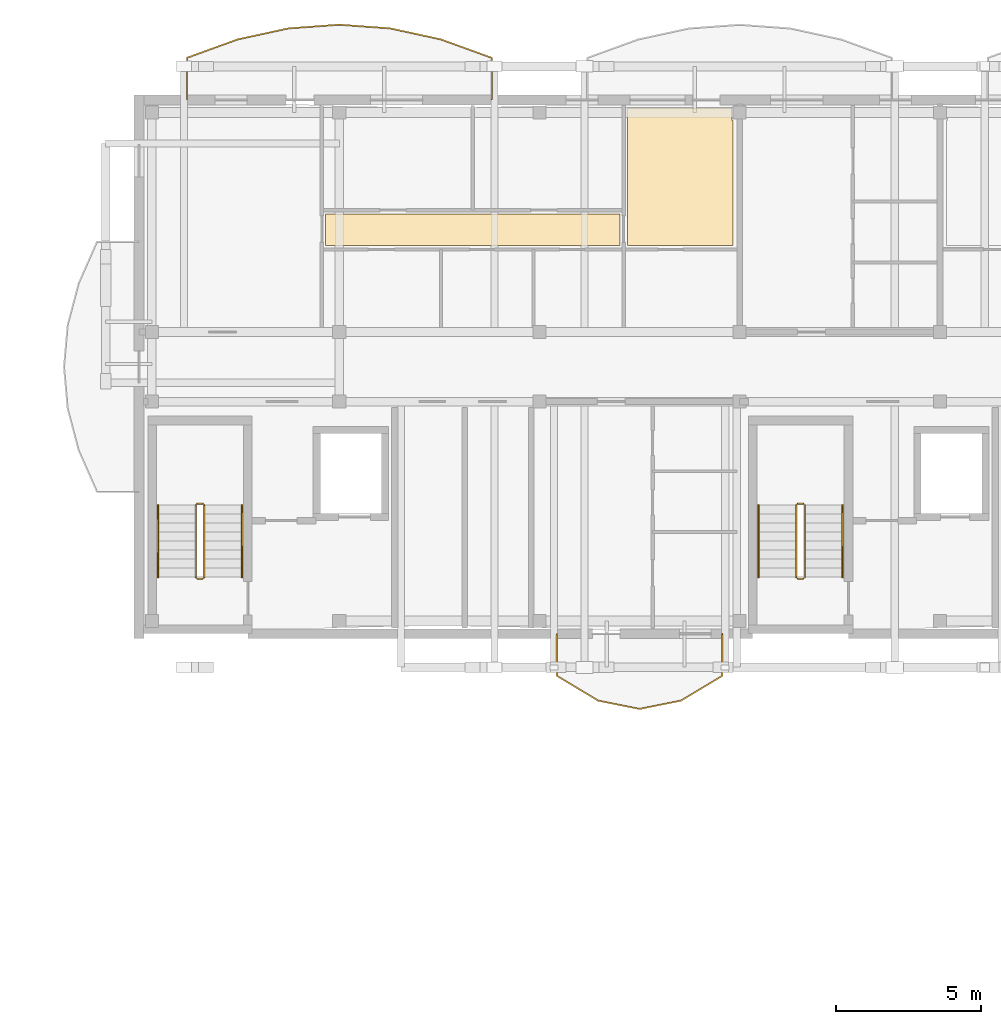
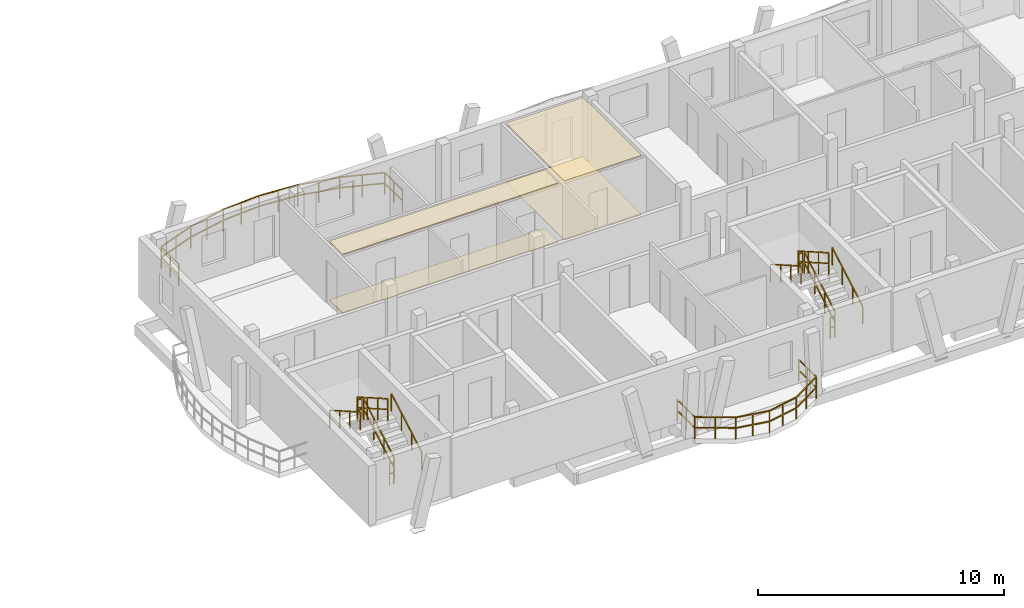
# One storey, part 41 of 42: 14 railings, 4 coverings.
"""IFC4 building model written with IfcOpenShell, lengths in metres."""

import ifcopenshell
import ifcopenshell.guid

model = None  # the IFC model being written
_history = None  # IfcOwnerHistory: only IFC2X3 demands one
_inside = {}  # id of a spatial element -> (the spatial element, [elements in it])
_under = {}  # id of a project, library or spatial element -> (it, [spatial elements below it])
_declared = {}  # id of a project -> (the project, [libraries it declares])
_typed = {}  # id of a type object -> (the type object, [elements of that type])
_made_of = {}  # id of a material, layer set ... -> (it, [elements and type objects made of it])


def new_model(schema):
    """Start an empty IFC model of exactly this schema.

    Asked for "IFC4X3", IfcOpenShell would pick the latest addendum, in which some entities
    have other attributes; the version numbers below select the first issue.
    IFC2X3 requires an IfcOwnerHistory on every rooted entity: one is made here for all.
    """
    global model, _history
    if schema == "IFC4X3":
        model = ifcopenshell.file(schema_version=(4, 3, 0, 0))
    else:
        model = ifcopenshell.file(schema=schema)
    _inside.clear()
    _under.clear()
    _declared.clear()
    _typed.clear()
    _made_of.clear()
    _history = None
    if model.schema == "IFC2X3":
        org = make("IfcOrganization", Name="unknown")
        user = make(
            "IfcPersonAndOrganization",
            ThePerson=make("IfcPerson", FamilyName="unknown"),
            TheOrganization=org,
        )
        app = make(
            "IfcApplication",
            ApplicationDeveloper=org,
            Version="unknown",
            ApplicationFullName="unknown",
            ApplicationIdentifier="unknown",
        )
        _history = make(
            "IfcOwnerHistory",
            OwningUser=user,
            OwningApplication=app,
            ChangeAction="ADDED",
            CreationDate=0,
        )
    return model


def make(cls, **values):
    """One entity of the class cls with the attributes given. An attribute that is None is left unset."""
    return model.create_entity(
        cls, **{name: value for name, value in values.items() if value is not None}
    )


def rooted(cls, **values):
    """An entity with a GlobalId (a new one), such as an element, a storey or a relation."""
    return make(cls, GlobalId=ifcopenshell.guid.new(), OwnerHistory=_history, **values)


def si_unit(unit_type, name, prefix=None):
    """IfcSIUnit, for example si_unit("LENGTHUNIT", "METRE", prefix="MILLI")."""
    return make("IfcSIUnit", UnitType=unit_type, Prefix=prefix, Name=name)


def assignment(units):
    """IfcUnitAssignment: the units of a project."""
    return None if units is None else make("IfcUnitAssignment", Units=units)


def point(xyz):
    """IfcCartesianPoint."""
    return None if xyz is None else make("IfcCartesianPoint", Coordinates=xyz)


def direction(xyz):
    """IfcDirection."""
    return None if xyz is None else make("IfcDirection", DirectionRatios=xyz)


def frame(location, z_axis=None, x_axis=None):
    """IfcAxis2Placement3D, a coordinate frame: its origin and axes. An axis left out is left unset."""
    return make(
        "IfcAxis2Placement3D",
        Location=point(location),
        Axis=direction(z_axis),
        RefDirection=direction(x_axis),
    )


def frame_2d(location, x_axis=None):
    """IfcAxis2Placement2D, a coordinate frame in the plane: its origin and x axis."""
    return make(
        "IfcAxis2Placement2D", Location=point(location), RefDirection=direction(x_axis)
    )


def origin():
    """The frame at (0, 0, 0) with its axes left unset."""
    return frame((0.0, 0.0, 0.0))


def origin_2d():
    """The frame at (0, 0) in the plane with its x axis left unset."""
    return frame_2d((0.0, 0.0))


def place(relative_to, where):
    """IfcLocalPlacement: puts the frame where relative to a parent placement (None: the world)."""
    return make(
        "IfcLocalPlacement", PlacementRelTo=relative_to, RelativePlacement=where
    )


def context(
    kind, dimensions, precision=None, world=None, true_north=None, identifier=None
):
    """IfcGeometricRepresentationContext, for example the 3D "Model" context."""
    return make(
        "IfcGeometricRepresentationContext",
        ContextIdentifier=identifier,
        ContextType=kind,
        CoordinateSpaceDimension=dimensions,
        Precision=precision,
        WorldCoordinateSystem=world,
        TrueNorth=true_north,
    )


def subcontext(parent, identifier, kind, view, scale=None):
    """IfcGeometricRepresentationSubContext, for example "Body" below "Model"."""
    return make(
        "IfcGeometricRepresentationSubContext",
        ContextIdentifier=identifier,
        ContextType=kind,
        ParentContext=parent,
        TargetScale=scale,
        TargetView=view,
    )


def project(units=None, contexts=None):
    """IfcProject with its units and contexts."""
    return rooted(
        "IfcProject",
        Name="project",
        RepresentationContexts=contexts,
        UnitsInContext=assignment(units),
    )


def spatial(cls, under=None, at=None, **own):
    """A site, building, storey or space (cls), placed at a placement, below another one or the project."""
    s = rooted(cls, ObjectPlacement=at, **own)
    if under is not None:
        _under.setdefault(under.id(), (under, []))[1].append(s)
    return s


def polyline(points):
    """IfcPolyline through the points."""
    return make("IfcPolyline", Points=[point(p) for p in points])


def profile(cls, at=None, kind="AREA", **sizes):
    """A parametric profile (cls). Its sizes go by their IFC names, for example OverallWidth=200.0."""
    return make(cls, ProfileType=kind, Position=at, **sizes)


def rectangle(**sizes):
    """IfcRectangleProfileDef."""
    return profile("IfcRectangleProfileDef", **sizes)


def outline(outer, holes=None, kind="AREA"):
    """IfcArbitraryClosedProfileDef: a profile drawn as a closed curve; with holes, ...WithVoids."""
    if holes is None:
        return make("IfcArbitraryClosedProfileDef", ProfileType=kind, OuterCurve=outer)
    return make(
        "IfcArbitraryProfileDefWithVoids",
        ProfileType=kind,
        OuterCurve=outer,
        InnerCurves=holes,
    )


def extrude(swept, where, along, depth):
    """IfcExtrudedAreaSolid: the profile swept, set in the frame where, extruded along a direction by depth."""
    return make(
        "IfcExtrudedAreaSolid",
        SweptArea=swept,
        Position=where,
        ExtrudedDirection=direction(along),
        Depth=depth,
    )


def shape(context_of_items, identifier, shape_type, items):
    """IfcShapeRepresentation: the items that make up one representation, for example the "Body"."""
    return make(
        "IfcShapeRepresentation",
        ContextOfItems=context_of_items,
        RepresentationIdentifier=identifier,
        RepresentationType=shape_type,
        Items=items,
    )


def material(Name=None, Category=None):
    """IfcMaterial."""
    return make("IfcMaterial", Name=Name, Category=Category)


def layer(
    of_material, thickness, ventilated=None, Name=None, Category=None, Priority=None
):
    """IfcMaterialLayer: one layer of a wall or slab, of a material (None: an air gap)."""
    return make(
        "IfcMaterialLayer",
        Material=of_material,
        LayerThickness=thickness,
        IsVentilated=ventilated,
        Name=Name,
        Category=Category,
        Priority=Priority,
    )


def layer_set(layers, Name=None):
    """IfcMaterialLayerSet."""
    return make("IfcMaterialLayerSet", MaterialLayers=layers, LayerSetName=Name)


def made_of(thing, what):
    """Note that an element or type object is made of a material, layer set ...; save() writes the relation."""
    if what is not None:
        _made_of.setdefault(what.id(), (what, []))[1].append(thing)
    return thing


def type_object(cls, material=None, **own):
    """A type object (cls), such as IfcWallType, which elements share."""
    return made_of(rooted(cls, **own), material)


def element(
    cls,
    number,
    at=None,
    inside=None,
    cuts=None,
    type_object=None,
    material=None,
    context=None,
    identifier="Body",
    shape_type=None,
    held_by="IfcProductDefinitionShape",
    body=None,
    shapes=None,
    **own,
):
    """One element of the class cls, such as IfcWall. Its Tag is "e" and its number.

    at: its placement. inside: the storey or other place that contains it. cuts: it is an
    opening in that element (IfcRelVoidsElement). A single representation is given by context,
    identifier, shape_type and body (its items); several are given by shapes. held_by: the class
    of the entity that holds the representations. save() writes the other relations.
    """
    e = rooted(cls, Tag="e%d" % number, ObjectPlacement=at, **own)
    if body is not None:
        shapes = [shape(context, identifier, shape_type, body)]
    if shapes is not None:
        e.Representation = make(held_by, Representations=shapes)
    if inside is not None:
        _inside.setdefault(inside.id(), (inside, []))[1].append(e)
    if cuts is not None:
        rooted(
            "IfcRelVoidsElement", RelatingBuildingElement=cuts, RelatedOpeningElement=e
        )
    if type_object is not None:
        _typed.setdefault(type_object.id(), (type_object, []))[1].append(e)
    return made_of(e, material)


def aggregate(whole, parts):
    """IfcRelAggregates: a whole, such as a stair, and the parts it consists of."""
    return rooted("IfcRelAggregates", RelatingObject=whole, RelatedObjects=parts)


def save(model, path):
    """Write the relations noted so far, then the file.

    IfcRelAggregates (storeys below a building ...), IfcRelContainedInSpatialStructure (elements
    in a storey), IfcRelDefinesByType, IfcRelAssociatesMaterial and IfcRelDeclares: one each for
    every whole, place, type object, material and project.
    """
    for whole, parts in _under.values():
        aggregate(whole, parts)
    for where, things in _inside.values():
        rooted(
            "IfcRelContainedInSpatialStructure",
            RelatedElements=things,
            RelatingStructure=where,
        )
    for kind, things in _typed.values():
        rooted("IfcRelDefinesByType", RelatedObjects=things, RelatingType=kind)
    for what, things in _made_of.values():
        rooted("IfcRelAssociatesMaterial", RelatedObjects=things, RelatingMaterial=what)
    for by, libraries in _declared.values():
        rooted("IfcRelDeclares", RelatingContext=by, RelatedDefinitions=libraries)
    model.write(path)


model = new_model("IFC4")

# Units and contexts
model_context = context("Model", 3, precision=1e-05, world=origin(), true_north=direction((0.0, 1.0)))
body_context = subcontext(model_context, "Body", "Model", "MODEL_VIEW")
ifc_project = project(units=[si_unit("LENGTHUNIT", "METRE"), si_unit("AREAUNIT", "SQUARE_METRE"), si_unit("VOLUMEUNIT", "CUBIC_METRE"), si_unit("PLANEANGLEUNIT", "RADIAN"), si_unit("MASSUNIT", "GRAM", prefix="KILO")], contexts=[model_context])

# Site, building, storey
site_placement = place(None, origin())
site = spatial("IfcSite", under=ifc_project, at=site_placement, CompositionType="ELEMENT")
building_placement = place(site_placement, origin())
building = spatial("IfcBuilding", under=site, at=building_placement, Name="Zavelmont Quarter", CompositionType="ELEMENT")
storey_placement = place(building_placement, frame((0.0, 0.0, 24.0)))
storey = spatial("IfcBuildingStorey", under=building, at=storey_placement, Name="L07", CompositionType="ELEMENT", Elevation=24.0)

# Coverings
ifc_material_1 = material(Name="Perforated acoustic gypsum board")
ifc_layer_1 = layer(ifc_material_1, 0.02490234375)
ifc_layer_set_1 = layer_set([ifc_layer_1], Name="Perforated acoustic gypsum board")
covering_type_1 = type_object("IfcCoveringType", Name="CV-CL01", PredefinedType="CEILING", material=ifc_layer_set_1)
covering_1_placement = place(storey_placement, frame((0.0, 0.0, 2.925048828125)))
element("IfcCovering", 1, at=covering_1_placement, inside=storey, type_object=covering_type_1, Name="L07 Master Bedroom acoustic ceiling", PredefinedType="CEILING", context=body_context, shape_type="SweptSolid", body=[
    extrude(outline(polyline([(143.429931640625, 115.719970703125), (147.034912109375, 115.719970703125), (147.034912109375, 115.294921875), (147.070068359375, 115.294921875), (147.070068359375, 110.97998046875), (143.429931640625, 110.97998046875), (143.429931640625, 115.719970703125)])), origin(), (0.0, 0.0, 1.0), 0.02490234375),
])
ifc_material_2 = material(Name="Slatted European ash acoustic baffle ceiling")
ifc_layer_2 = layer(ifc_material_2, 0.0400390625)
ifc_layer_set_2 = layer_set([ifc_layer_2], Name="Slatted European ash acoustic baffle ceiling")
covering_type_2 = type_object("IfcCoveringType", Name="CV-CL02", PredefinedType="CEILING", material=ifc_layer_set_2)
covering_2_placement = place(storey_placement, frame((0.0, 0.0, 2.909912109375)))
element("IfcCovering", 2, at=covering_2_placement, inside=storey, type_object=covering_type_2, Name="L07 Apartment Hall acoustic ceiling", PredefinedType="CEILING", context=body_context, shape_type="SweptSolid", body=[
    extrude(outline(polyline([(133.030029296875, 112.070068359375), (143.169921875, 112.070068359375), (143.169921875, 110.97998046875), (133.030029296875, 110.97998046875), (133.030029296875, 112.070068359375)])), origin(), (0.0, 0.0, 1.0), 0.0400390625),
])
ifc_material_3 = material(Name="Engineered European oak parquet")
ifc_layer_3 = layer(ifc_material_3, 0.02197265625)
ifc_layer_set_3 = layer_set([ifc_layer_3], Name="Engineered European oak parquet")
covering_type_3 = type_object("IfcCoveringType", Name="CV-FL01", PredefinedType="FLOORING", material=ifc_layer_set_3)
covering_3_placement = place(storey_placement, origin())
element("IfcCovering", 3, at=covering_3_placement, inside=storey, type_object=covering_type_3, Name="L07 Master Bedroom floor finish", PredefinedType="FLOORING", context=body_context, shape_type="SweptSolid", body=[
    extrude(outline(polyline([(143.429931640625, 115.719970703125), (147.034912109375, 115.719970703125), (147.034912109375, 115.294921875), (147.070068359375, 115.294921875), (147.070068359375, 110.97998046875), (143.429931640625, 110.97998046875), (143.429931640625, 115.719970703125)])), origin(), (0.0, 0.0, 1.0), 0.02197265625),
])
ifc_material_4 = material(Name="Honed Belgian bluestone tile", Category="masonry")
ifc_layer_4 = layer(ifc_material_4, 0.030029296875)
ifc_layer_set_4 = layer_set([ifc_layer_4], Name="Honed Belgian bluestone tile")
covering_type_4 = type_object("IfcCoveringType", Name="CV-FL02", PredefinedType="FLOORING", material=ifc_layer_set_4)
covering_4_placement = place(storey_placement, origin())
element("IfcCovering", 4, at=covering_4_placement, inside=storey, type_object=covering_type_4, Name="L07 Apartment Hall floor finish", PredefinedType="FLOORING", context=body_context, shape_type="SweptSolid", body=[
    extrude(outline(polyline([(133.030029296875, 112.070068359375), (143.169921875, 112.070068359375), (143.169921875, 110.97998046875), (133.030029296875, 110.97998046875), (133.030029296875, 112.070068359375)])), origin(), (0.0, 0.0, 1.0), 0.030029296875),
])

# Railings
ifc_material_5 = material(Name="Powder-coated steel and tempered double safety glass", Category="steel")
railing_type_1 = type_object("IfcRailingType", Name="RL-BAL1", PredefinedType="BALUSTRADE", material=ifc_material_5)
railing_1_placement = place(storey_placement, frame((138.7490234375, 116.02001953125, 0.0)))
element("IfcRailing", 5, at=railing_1_placement, inside=storey, type_object=railing_type_1, Name="L07 Block C curved balcony guard RL-BAL1", PredefinedType="BALUSTRADE", context=body_context, shape_type="SweptSolid", body=[
    extrude(rectangle(XDim=0.048095703125, YDim=0.048095703125, at=origin_2d()), frame((0.0, 0.0, 1.076171875), z_axis=(0.0, 1.0, 0.0), x_axis=(-1.0, 0.0, 0.0)), (0.0, 0.0, 1.0), 1.43212890625),
    extrude(rectangle(XDim=0.048095703125, YDim=0.048095703125, at=origin_2d()), frame((0.0, 0.0, 0.550048828125), z_axis=(0.0, 1.0, 0.0), x_axis=(-1.0, 0.0, 0.0)), (0.0, 0.0, 1.0), 1.43212890625),
    extrude(rectangle(XDim=0.048095703125, YDim=0.048095703125, at=origin_2d()), frame((0.0, 1.43212890625, 1.076171875), z_axis=(-0.940206457744, 0.340605074561, 0.0), x_axis=(-0.340605074561, -0.940206457744, 0.0)), (0.0, 0.0, 1.0), 1.86083984375),
    extrude(rectangle(XDim=0.048095703125, YDim=0.048095703125, at=origin_2d()), frame((0.0, 1.43212890625, 0.550048828125), z_axis=(-0.940206457744, 0.340605074561, 0.0), x_axis=(-0.340605074561, -0.940206457744, 0.0)), (0.0, 0.0, 1.0), 1.86083984375),
    extrude(rectangle(XDim=0.048095703125, YDim=0.048095703125, at=origin_2d()), frame((-1.74951171875, 2.06591796875, 1.076171875), z_axis=(-0.977177594448, 0.212423983836, 0.0), x_axis=(-0.212423983836, -0.977177594448, 0.0)), (0.0, 0.0, 1.0), 1.79052734375),
    extrude(rectangle(XDim=0.048095703125, YDim=0.048095703125, at=origin_2d()), frame((-1.74951171875, 2.06591796875, 0.550048828125), z_axis=(-0.977177594448, 0.212423983836, 0.0), x_axis=(-0.212423983836, -0.977177594448, 0.0)), (0.0, 0.0, 1.0), 1.79052734375),
    extrude(rectangle(XDim=0.048095703125, YDim=0.048095703125, at=origin_2d()), frame((-3.499267578125, 2.4462890625, 1.076171875), z_axis=(-0.997388284097, 0.072226108476, 0.0), x_axis=(-0.072226108476, -0.997388284097, 0.0)), (0.0, 0.0, 1.0), 1.75439453125),
    extrude(rectangle(XDim=0.048095703125, YDim=0.048095703125, at=origin_2d()), frame((-3.499267578125, 2.4462890625, 0.550048828125), z_axis=(-0.997388284097, 0.072226108476, 0.0), x_axis=(-0.072226108476, -0.997388284097, 0.0)), (0.0, 0.0, 1.0), 1.75439453125),
    extrude(rectangle(XDim=0.048095703125, YDim=0.048095703125, at=origin_2d()), frame((-5.2490234375, 2.572998046875, 1.076171875), z_axis=(-0.997388284097, -0.072226108476, 0.0), x_axis=(0.072226108476, -0.997388284097, 0.0)), (0.0, 0.0, 1.0), 1.75439453125),
    extrude(rectangle(XDim=0.048095703125, YDim=0.048095703125, at=origin_2d()), frame((-5.2490234375, 2.572998046875, 0.550048828125), z_axis=(-0.997388284097, -0.072226108476, 0.0), x_axis=(0.072226108476, -0.997388284097, 0.0)), (0.0, 0.0, 1.0), 1.75439453125),
    extrude(rectangle(XDim=0.048095703125, YDim=0.048095703125, at=origin_2d()), frame((-6.998779296875, 2.4462890625, 1.076171875), z_axis=(-0.977177594448, -0.212423983836, 0.0), x_axis=(0.212423983836, -0.977177594448, 0.0)), (0.0, 0.0, 1.0), 1.79052734375),
    extrude(rectangle(XDim=0.048095703125, YDim=0.048095703125, at=origin_2d()), frame((-6.998779296875, 2.4462890625, 0.550048828125), z_axis=(-0.977177594448, -0.212423983836, 0.0), x_axis=(0.212423983836, -0.977177594448, 0.0)), (0.0, 0.0, 1.0), 1.79052734375),
    extrude(rectangle(XDim=0.048095703125, YDim=0.048095703125, at=origin_2d()), frame((-8.74853515625, 2.06591796875, 1.076171875), z_axis=(-0.940206457744, -0.340605074561, 0.0), x_axis=(0.340605074561, -0.940206457744, 0.0)), (0.0, 0.0, 1.0), 1.86083984375),
    extrude(rectangle(XDim=0.048095703125, YDim=0.048095703125, at=origin_2d()), frame((-8.74853515625, 2.06591796875, 0.550048828125), z_axis=(-0.940206457744, -0.340605074561, 0.0), x_axis=(0.340605074561, -0.940206457744, 0.0)), (0.0, 0.0, 1.0), 1.86083984375),
    extrude(rectangle(XDim=0.048095703125, YDim=0.048095703125, at=origin_2d()), frame((-10.498046875, 1.43212890625, 1.076171875), z_axis=(0.0, -1.0, 0.0), x_axis=(1.0, 0.0, 0.0)), (0.0, 0.0, 1.0), 1.43212890625),
    extrude(rectangle(XDim=0.048095703125, YDim=0.048095703125, at=origin_2d()), frame((-10.498046875, 1.43212890625, 0.550048828125), z_axis=(0.0, -1.0, 0.0), x_axis=(1.0, 0.0, 0.0)), (0.0, 0.0, 1.0), 1.43212890625),
    extrude(rectangle(XDim=0.0419921875, YDim=0.0419921875, at=origin_2d()), origin(), (0.0, 0.0, 1.0), 1.052001953125),
    extrude(rectangle(XDim=0.0419921875, YDim=0.0419921875, at=origin_2d()), frame((0.0, 0.716064453125, 0.0)), (0.0, 0.0, 1.0), 1.052001953125),
    extrude(rectangle(XDim=0.0419921875, YDim=0.0419921875, at=origin_2d()), frame((0.0, 1.43212890625, 0.0)), (0.0, 0.0, 1.0), 1.052001953125),
    extrude(rectangle(XDim=0.0419921875, YDim=0.0419921875, at=origin_2d()), frame((-0.874755859375, 1.7490234375, 0.0)), (0.0, 0.0, 1.0), 1.052001953125),
    extrude(rectangle(XDim=0.0419921875, YDim=0.0419921875, at=origin_2d()), frame((-1.74951171875, 2.06591796875, 0.0)), (0.0, 0.0, 1.0), 1.052001953125),
    extrude(rectangle(XDim=0.0419921875, YDim=0.0419921875, at=origin_2d()), frame((-2.62451171875, 2.256103515625, 0.0)), (0.0, 0.0, 1.0), 1.052001953125),
    extrude(rectangle(XDim=0.0419921875, YDim=0.0419921875, at=origin_2d()), frame((-3.499267578125, 2.4462890625, 0.0)), (0.0, 0.0, 1.0), 1.052001953125),
    extrude(rectangle(XDim=0.0419921875, YDim=0.0419921875, at=origin_2d()), frame((-4.3740234375, 2.509765625, 0.0)), (0.0, 0.0, 1.0), 1.052001953125),
    extrude(rectangle(XDim=0.0419921875, YDim=0.0419921875, at=origin_2d()), frame((-5.2490234375, 2.572998046875, 0.0)), (0.0, 0.0, 1.0), 1.052001953125),
    extrude(rectangle(XDim=0.0419921875, YDim=0.0419921875, at=origin_2d()), frame((-6.1240234375, 2.509765625, 0.0)), (0.0, 0.0, 1.0), 1.052001953125),
    extrude(rectangle(XDim=0.0419921875, YDim=0.0419921875, at=origin_2d()), frame((-6.998779296875, 2.4462890625, 0.0)), (0.0, 0.0, 1.0), 1.052001953125),
    extrude(rectangle(XDim=0.0419921875, YDim=0.0419921875, at=origin_2d()), frame((-7.87353515625, 2.256103515625, 0.0)), (0.0, 0.0, 1.0), 1.052001953125),
    extrude(rectangle(XDim=0.0419921875, YDim=0.0419921875, at=origin_2d()), frame((-8.74853515625, 2.06591796875, 0.0)), (0.0, 0.0, 1.0), 1.052001953125),
    extrude(rectangle(XDim=0.0419921875, YDim=0.0419921875, at=origin_2d()), frame((-9.623291015625, 1.7490234375, 0.0)), (0.0, 0.0, 1.0), 1.052001953125),
    extrude(rectangle(XDim=0.0419921875, YDim=0.0419921875, at=origin_2d()), frame((-10.498046875, 1.43212890625, 0.0)), (0.0, 0.0, 1.0), 1.052001953125),
    extrude(rectangle(XDim=0.0419921875, YDim=0.0419921875, at=origin_2d()), frame((-10.498046875, 0.716064453125, 0.0)), (0.0, 0.0, 1.0), 1.052001953125),
    extrude(rectangle(XDim=0.0419921875, YDim=0.0419921875, at=origin_2d()), frame((-10.498046875, 0.0, 0.0)), (0.0, 0.0, 1.0), 1.052001953125),
])
railing_2_placement = place(storey_placement, frame((141.0, 97.580078125, 0.0)))
element("IfcRailing", 6, at=railing_2_placement, inside=storey, type_object=railing_type_1, Name="L07 Block C curved balcony guard RL-BAL1", PredefinedType="BALUSTRADE", context=body_context, shape_type="SweptSolid", body=[
    extrude(rectangle(XDim=0.048095703125, YDim=0.048095703125, at=origin_2d()), frame((0.0, 0.0, 1.076171875), z_axis=(0.0, -1.0, 0.0), x_axis=(1.0, 0.0, 0.0)), (0.0, 0.0, 1.0), 1.43212890625),
    extrude(rectangle(XDim=0.048095703125, YDim=0.048095703125, at=origin_2d()), frame((0.0, 0.0, 0.550048828125), z_axis=(0.0, -1.0, 0.0), x_axis=(1.0, 0.0, 0.0)), (0.0, 0.0, 1.0), 1.43212890625),
    extrude(rectangle(XDim=0.048095703125, YDim=0.048095703125, at=origin_2d()), frame((0.0, -1.43212890625, 1.076171875), z_axis=(0.857311438134, -0.51479811387, 0.0), x_axis=(0.51479811387, 0.857311438134, 0.0)), (0.0, 0.0, 1.0), 1.662109375),
    extrude(rectangle(XDim=0.048095703125, YDim=0.048095703125, at=origin_2d()), frame((0.0, -1.43212890625, 0.550048828125), z_axis=(0.857311438134, -0.51479811387, 0.0), x_axis=(0.51479811387, 0.857311438134, 0.0)), (0.0, 0.0, 1.0), 1.662109375),
    extrude(rectangle(XDim=0.048095703125, YDim=0.048095703125, at=origin_2d()), frame((1.425048828125, -2.287841796875, 1.076171875), z_axis=(0.980561287368, -0.196213051849, 0.0), x_axis=(0.196213051849, 0.980561287368, 0.0)), (0.0, 0.0, 1.0), 1.453369140625),
    extrude(rectangle(XDim=0.048095703125, YDim=0.048095703125, at=origin_2d()), frame((1.425048828125, -2.287841796875, 0.550048828125), z_axis=(0.980561287368, -0.196213051849, 0.0), x_axis=(0.196213051849, 0.980561287368, 0.0)), (0.0, 0.0, 1.0), 1.453369140625),
    extrude(rectangle(XDim=0.048095703125, YDim=0.048095703125, at=origin_2d()), frame((2.85009765625, -2.572998046875, 1.076171875), z_axis=(0.980554818204, 0.196245378283, 0.0), x_axis=(-0.196245378283, 0.980554818204, 0.0)), (0.0, 0.0, 1.0), 1.453125),
    extrude(rectangle(XDim=0.048095703125, YDim=0.048095703125, at=origin_2d()), frame((2.85009765625, -2.572998046875, 0.550048828125), z_axis=(0.980554818204, 0.196245378283, 0.0), x_axis=(-0.196245378283, 0.980554818204, 0.0)), (0.0, 0.0, 1.0), 1.453125),
    extrude(rectangle(XDim=0.048095703125, YDim=0.048095703125, at=origin_2d()), frame((4.27490234375, -2.287841796875, 1.076171875), z_axis=(0.857311438134, 0.51479811387, 0.0), x_axis=(-0.51479811387, 0.857311438134, 0.0)), (0.0, 0.0, 1.0), 1.662109375),
    extrude(rectangle(XDim=0.048095703125, YDim=0.048095703125, at=origin_2d()), frame((4.27490234375, -2.287841796875, 0.550048828125), z_axis=(0.857311438134, 0.51479811387, 0.0), x_axis=(-0.51479811387, 0.857311438134, 0.0)), (0.0, 0.0, 1.0), 1.662109375),
    extrude(rectangle(XDim=0.048095703125, YDim=0.048095703125, at=origin_2d()), frame((5.699951171875, -1.43212890625, 1.076171875), z_axis=(0.0, 1.0, 0.0), x_axis=(-1.0, 0.0, 0.0)), (0.0, 0.0, 1.0), 1.43212890625),
    extrude(rectangle(XDim=0.048095703125, YDim=0.048095703125, at=origin_2d()), frame((5.699951171875, -1.43212890625, 0.550048828125), z_axis=(0.0, 1.0, 0.0), x_axis=(-1.0, 0.0, 0.0)), (0.0, 0.0, 1.0), 1.43212890625),
    extrude(rectangle(XDim=0.0419921875, YDim=0.0419921875, at=origin_2d()), origin(), (0.0, 0.0, 1.0), 1.052001953125),
    extrude(rectangle(XDim=0.0419921875, YDim=0.0419921875, at=origin_2d()), frame((0.0, -0.716064453125, 0.0)), (0.0, 0.0, 1.0), 1.052001953125),
    extrude(rectangle(XDim=0.0419921875, YDim=0.0419921875, at=origin_2d()), frame((0.0, -1.43212890625, 0.0)), (0.0, 0.0, 1.0), 1.052001953125),
    extrude(rectangle(XDim=0.0419921875, YDim=0.0419921875, at=origin_2d()), frame((0.71240234375, -1.85986328125, 0.0)), (0.0, 0.0, 1.0), 1.052001953125),
    extrude(rectangle(XDim=0.0419921875, YDim=0.0419921875, at=origin_2d()), frame((1.425048828125, -2.287841796875, 0.0)), (0.0, 0.0, 1.0), 1.052001953125),
    extrude(rectangle(XDim=0.0419921875, YDim=0.0419921875, at=origin_2d()), frame((2.1376953125, -2.430419921875, 0.0)), (0.0, 0.0, 1.0), 1.052001953125),
    extrude(rectangle(XDim=0.0419921875, YDim=0.0419921875, at=origin_2d()), frame((2.85009765625, -2.572998046875, 0.0)), (0.0, 0.0, 1.0), 1.052001953125),
    extrude(rectangle(XDim=0.0419921875, YDim=0.0419921875, at=origin_2d()), frame((3.5625, -2.430419921875, 0.0)), (0.0, 0.0, 1.0), 1.052001953125),
    extrude(rectangle(XDim=0.0419921875, YDim=0.0419921875, at=origin_2d()), frame((4.27490234375, -2.287841796875, 0.0)), (0.0, 0.0, 1.0), 1.052001953125),
    extrude(rectangle(XDim=0.0419921875, YDim=0.0419921875, at=origin_2d()), frame((4.9873046875, -1.85986328125, 0.0)), (0.0, 0.0, 1.0), 1.052001953125),
    extrude(rectangle(XDim=0.0419921875, YDim=0.0419921875, at=origin_2d()), frame((5.699951171875, -1.43212890625, 0.0)), (0.0, 0.0, 1.0), 1.052001953125),
    extrude(rectangle(XDim=0.0419921875, YDim=0.0419921875, at=origin_2d()), frame((5.699951171875, -0.716064453125, 0.0)), (0.0, 0.0, 1.0), 1.052001953125),
    extrude(rectangle(XDim=0.0419921875, YDim=0.0419921875, at=origin_2d()), frame((5.699951171875, 0.0, 0.0)), (0.0, 0.0, 1.0), 1.052001953125),
])
ifc_material_6 = material(Name="Powder-coated steel stair guardrail", Category="steel")
railing_type_2 = type_object("IfcRailingType", Name="RL-GRD1", PredefinedType="GUARDRAIL", material=ifc_material_6)
railing_3_placement = place(storey_placement, frame((128.85009765625, 99.550048828125, 0.177734375)))
element("IfcRailing", 7, at=railing_3_placement, inside=storey, type_object=railing_type_2, Name="L07 ST05 stair guardrail 1", PredefinedType="GUARDRAIL", context=body_context, shape_type="SweptSolid", body=[
    extrude(rectangle(XDim=0.048095703125, YDim=0.048095703125, at=origin_2d()), frame((0.0, 0.0, 1.076171875), z_axis=(0.0, 0.867453774394, 0.497517787913), x_axis=(-1.0, 0.0, 0.0)), (0.0, 0.0, 1.0), 2.85888671875),
    extrude(rectangle(XDim=0.048095703125, YDim=0.048095703125, at=origin_2d()), frame((0.0, 0.0, 0.550048828125), z_axis=(0.0, 0.867453774394, 0.497517787913), x_axis=(-1.0, 0.0, 0.0)), (0.0, 0.0, 1.0), 2.85888671875),
    extrude(rectangle(XDim=0.0419921875, YDim=0.0419921875, at=origin_2d()), origin(), (0.0, 0.0, 1.0), 1.052001953125),
    extrude(rectangle(XDim=0.0419921875, YDim=0.0419921875, at=origin_2d()), frame((0.0, 0.82666015625, 0.47412109375)), (0.0, 0.0, 1.0), 1.052001953125),
    extrude(rectangle(XDim=0.0419921875, YDim=0.0419921875, at=origin_2d()), frame((0.0, 1.6533203125, 0.9482421875)), (0.0, 0.0, 1.0), 1.052001953125),
    extrude(rectangle(XDim=0.0419921875, YDim=0.0419921875, at=origin_2d()), frame((0.0, 2.47998046875, 1.42236328125)), (0.0, 0.0, 1.0), 1.052001953125),
])
railing_4_placement = place(storey_placement, frame((128.800048828125, 102.080078125, 1.60009765625)))
element("IfcRailing", 8, at=railing_4_placement, inside=storey, type_object=railing_type_2, Name="L07 ST05 stair guardrail 2", PredefinedType="GUARDRAIL", context=body_context, shape_type="SweptSolid", body=[
    extrude(rectangle(XDim=0.048095703125, YDim=0.048095703125, at=origin_2d()), frame((0.0, 0.0, 1.076171875), z_axis=(-1.0, 0.0, 0.0), x_axis=(0.0, -1.0, 0.0)), (0.0, 0.0, 1.0), 0.199951171875),
    extrude(rectangle(XDim=0.048095703125, YDim=0.048095703125, at=origin_2d()), frame((0.0, 0.0, 0.550048828125), z_axis=(-1.0, 0.0, 0.0), x_axis=(0.0, -1.0, 0.0)), (0.0, 0.0, 1.0), 0.199951171875),
    extrude(rectangle(XDim=0.0419921875, YDim=0.0419921875, at=origin_2d()), origin(), (0.0, 0.0, 1.0), 1.052001953125),
    extrude(rectangle(XDim=0.0419921875, YDim=0.0419921875, at=origin_2d()), frame((-0.199951171875, 0.0, 0.0)), (0.0, 0.0, 1.0), 1.052001953125),
])
railing_5_placement = place(storey_placement, frame((128.550048828125, 102.030029296875, 1.77783203125)))
element("IfcRailing", 9, at=railing_5_placement, inside=storey, type_object=railing_type_2, Name="L07 ST05 stair guardrail 3", PredefinedType="GUARDRAIL", context=body_context, shape_type="SweptSolid", body=[
    extrude(rectangle(XDim=0.048095703125, YDim=0.048095703125, at=origin_2d()), frame((0.0, 0.0, 1.076171875), z_axis=(0.0, -0.867490628297, 0.497453525283), x_axis=(1.0, 0.0, 0.0)), (0.0, 0.0, 1.0), 2.85888671875),
    extrude(rectangle(XDim=0.048095703125, YDim=0.048095703125, at=origin_2d()), frame((0.0, 0.0, 0.550048828125), z_axis=(0.0, -0.867490628297, 0.497453525283), x_axis=(1.0, 0.0, 0.0)), (0.0, 0.0, 1.0), 2.85888671875),
    extrude(rectangle(XDim=0.0419921875, YDim=0.0419921875, at=origin_2d()), origin(), (0.0, 0.0, 1.0), 1.052001953125),
    extrude(rectangle(XDim=0.0419921875, YDim=0.0419921875, at=origin_2d()), frame((0.0, -0.82666015625, 0.47412109375)), (0.0, 0.0, 1.0), 1.052001953125),
    extrude(rectangle(XDim=0.0419921875, YDim=0.0419921875, at=origin_2d()), frame((0.0, -1.6533203125, 0.947998046875)), (0.0, 0.0, 1.0), 1.052001953125),
    extrude(rectangle(XDim=0.0419921875, YDim=0.0419921875, at=origin_2d()), frame((0.0, -2.47998046875, 1.422119140625)), (0.0, 0.0, 1.0), 1.052001953125),
])
railing_6_placement = place(storey_placement, frame((128.800048828125, 99.5, 0.0)))
element("IfcRailing", 10, at=railing_6_placement, inside=storey, type_object=railing_type_2, Name="L07 ST05 stair guardrail 4", PredefinedType="GUARDRAIL", context=body_context, shape_type="SweptSolid", body=[
    extrude(rectangle(XDim=0.048095703125, YDim=0.048095703125, at=origin_2d()), frame((0.0, 0.0, 1.076171875), z_axis=(-1.0, 0.0, 0.0), x_axis=(0.0, -1.0, 0.0)), (0.0, 0.0, 1.0), 0.199951171875),
    extrude(rectangle(XDim=0.048095703125, YDim=0.048095703125, at=origin_2d()), frame((0.0, 0.0, 0.550048828125), z_axis=(-1.0, 0.0, 0.0), x_axis=(0.0, -1.0, 0.0)), (0.0, 0.0, 1.0), 0.199951171875),
    extrude(rectangle(XDim=0.0419921875, YDim=0.0419921875, at=origin_2d()), origin(), (0.0, 0.0, 1.0), 1.052001953125),
    extrude(rectangle(XDim=0.0419921875, YDim=0.0419921875, at=origin_2d()), frame((-0.199951171875, 0.0, 0.0)), (0.0, 0.0, 1.0), 1.052001953125),
])
railing_7_placement = place(storey_placement, frame((149.550048828125, 99.550048828125, 0.177734375)))
element("IfcRailing", 11, at=railing_7_placement, inside=storey, type_object=railing_type_2, Name="L07 ST06 stair guardrail 1", PredefinedType="GUARDRAIL", context=body_context, shape_type="SweptSolid", body=[
    extrude(rectangle(XDim=0.048095703125, YDim=0.048095703125, at=origin_2d()), frame((0.0, 0.0, 1.076171875), z_axis=(0.0, 0.867453774394, 0.497517787913), x_axis=(-1.0, 0.0, 0.0)), (0.0, 0.0, 1.0), 2.85888671875),
    extrude(rectangle(XDim=0.048095703125, YDim=0.048095703125, at=origin_2d()), frame((0.0, 0.0, 0.550048828125), z_axis=(0.0, 0.867453774394, 0.497517787913), x_axis=(-1.0, 0.0, 0.0)), (0.0, 0.0, 1.0), 2.85888671875),
    extrude(rectangle(XDim=0.0419921875, YDim=0.0419921875, at=origin_2d()), origin(), (0.0, 0.0, 1.0), 1.052001953125),
    extrude(rectangle(XDim=0.0419921875, YDim=0.0419921875, at=origin_2d()), frame((0.0, 0.82666015625, 0.47412109375)), (0.0, 0.0, 1.0), 1.052001953125),
    extrude(rectangle(XDim=0.0419921875, YDim=0.0419921875, at=origin_2d()), frame((0.0, 1.6533203125, 0.9482421875)), (0.0, 0.0, 1.0), 1.052001953125),
    extrude(rectangle(XDim=0.0419921875, YDim=0.0419921875, at=origin_2d()), frame((0.0, 2.47998046875, 1.42236328125)), (0.0, 0.0, 1.0), 1.052001953125),
])
railing_8_placement = place(storey_placement, frame((149.5, 102.080078125, 1.60009765625)))
element("IfcRailing", 12, at=railing_8_placement, inside=storey, type_object=railing_type_2, Name="L07 ST06 stair guardrail 2", PredefinedType="GUARDRAIL", context=body_context, shape_type="SweptSolid", body=[
    extrude(rectangle(XDim=0.048095703125, YDim=0.048095703125, at=origin_2d()), frame((0.0, 0.0, 1.076171875), z_axis=(-1.0, 0.0, 0.0), x_axis=(0.0, -1.0, 0.0)), (0.0, 0.0, 1.0), 0.199951171875),
    extrude(rectangle(XDim=0.048095703125, YDim=0.048095703125, at=origin_2d()), frame((0.0, 0.0, 0.550048828125), z_axis=(-1.0, 0.0, 0.0), x_axis=(0.0, -1.0, 0.0)), (0.0, 0.0, 1.0), 0.199951171875),
    extrude(rectangle(XDim=0.0419921875, YDim=0.0419921875, at=origin_2d()), origin(), (0.0, 0.0, 1.0), 1.052001953125),
    extrude(rectangle(XDim=0.0419921875, YDim=0.0419921875, at=origin_2d()), frame((-0.199951171875, 0.0, 0.0)), (0.0, 0.0, 1.0), 1.052001953125),
])
railing_9_placement = place(storey_placement, frame((149.25, 102.030029296875, 1.77783203125)))
element("IfcRailing", 13, at=railing_9_placement, inside=storey, type_object=railing_type_2, Name="L07 ST06 stair guardrail 3", PredefinedType="GUARDRAIL", context=body_context, shape_type="SweptSolid", body=[
    extrude(rectangle(XDim=0.048095703125, YDim=0.048095703125, at=origin_2d()), frame((0.0, 0.0, 1.076171875), z_axis=(0.0, -0.867490628297, 0.497453525283), x_axis=(1.0, 0.0, 0.0)), (0.0, 0.0, 1.0), 2.85888671875),
    extrude(rectangle(XDim=0.048095703125, YDim=0.048095703125, at=origin_2d()), frame((0.0, 0.0, 0.550048828125), z_axis=(0.0, -0.867490628297, 0.497453525283), x_axis=(1.0, 0.0, 0.0)), (0.0, 0.0, 1.0), 2.85888671875),
    extrude(rectangle(XDim=0.0419921875, YDim=0.0419921875, at=origin_2d()), origin(), (0.0, 0.0, 1.0), 1.052001953125),
    extrude(rectangle(XDim=0.0419921875, YDim=0.0419921875, at=origin_2d()), frame((0.0, -0.82666015625, 0.47412109375)), (0.0, 0.0, 1.0), 1.052001953125),
    extrude(rectangle(XDim=0.0419921875, YDim=0.0419921875, at=origin_2d()), frame((0.0, -1.6533203125, 0.947998046875)), (0.0, 0.0, 1.0), 1.052001953125),
    extrude(rectangle(XDim=0.0419921875, YDim=0.0419921875, at=origin_2d()), frame((0.0, -2.47998046875, 1.422119140625)), (0.0, 0.0, 1.0), 1.052001953125),
])
railing_10_placement = place(storey_placement, frame((149.5, 99.5, 0.0)))
element("IfcRailing", 14, at=railing_10_placement, inside=storey, type_object=railing_type_2, Name="L07 ST06 stair guardrail 4", PredefinedType="GUARDRAIL", context=body_context, shape_type="SweptSolid", body=[
    extrude(rectangle(XDim=0.048095703125, YDim=0.048095703125, at=origin_2d()), frame((0.0, 0.0, 1.076171875), z_axis=(-1.0, 0.0, 0.0), x_axis=(0.0, -1.0, 0.0)), (0.0, 0.0, 1.0), 0.199951171875),
    extrude(rectangle(XDim=0.048095703125, YDim=0.048095703125, at=origin_2d()), frame((0.0, 0.0, 0.550048828125), z_axis=(-1.0, 0.0, 0.0), x_axis=(0.0, -1.0, 0.0)), (0.0, 0.0, 1.0), 0.199951171875),
    extrude(rectangle(XDim=0.0419921875, YDim=0.0419921875, at=origin_2d()), origin(), (0.0, 0.0, 1.0), 1.052001953125),
    extrude(rectangle(XDim=0.0419921875, YDim=0.0419921875, at=origin_2d()), frame((-0.199951171875, 0.0, 0.0)), (0.0, 0.0, 1.0), 1.052001953125),
])
ifc_material_7 = material(Name="Brushed stainless-steel wall handrail", Category="steel")
railing_type_3 = type_object("IfcRailingType", Name="RL-HND1", PredefinedType="HANDRAIL", material=ifc_material_7)
railing_11_placement = place(storey_placement, frame((130.14990234375, 99.550048828125, 0.177734375)))
element("IfcRailing", 15, at=railing_11_placement, inside=storey, type_object=railing_type_3, Name="L07 ST05 stair handrail 1", PredefinedType="HANDRAIL", context=body_context, shape_type="SweptSolid", body=[
    extrude(rectangle(XDim=0.048095703125, YDim=0.048095703125, at=origin_2d()), frame((0.0, 0.0, 0.8759765625), z_axis=(0.0, 0.867453774394, 0.497517787913), x_axis=(-1.0, 0.0, 0.0)), (0.0, 0.0, 1.0), 2.85888671875),
    extrude(rectangle(XDim=0.0419921875, YDim=0.0419921875, at=origin_2d()), origin(), (0.0, 0.0, 1.0), 0.851806640625),
    extrude(rectangle(XDim=0.0419921875, YDim=0.0419921875, at=origin_2d()), frame((0.0, 0.82666015625, 0.47412109375)), (0.0, 0.0, 1.0), 0.851806640625),
    extrude(rectangle(XDim=0.0419921875, YDim=0.0419921875, at=origin_2d()), frame((0.0, 1.6533203125, 0.9482421875)), (0.0, 0.0, 1.0), 0.851806640625),
    extrude(rectangle(XDim=0.0419921875, YDim=0.0419921875, at=origin_2d()), frame((0.0, 2.47998046875, 1.42236328125)), (0.0, 0.0, 1.0), 0.851806640625),
])
railing_12_placement = place(storey_placement, frame((127.25, 102.030029296875, 1.77783203125)))
element("IfcRailing", 16, at=railing_12_placement, inside=storey, type_object=railing_type_3, Name="L07 ST05 stair handrail 2", PredefinedType="HANDRAIL", context=body_context, shape_type="SweptSolid", body=[
    extrude(rectangle(XDim=0.048095703125, YDim=0.048095703125, at=origin_2d()), frame((0.0, 0.0, 0.8759765625), z_axis=(0.0, -0.867490628297, 0.497453525283), x_axis=(1.0, 0.0, 0.0)), (0.0, 0.0, 1.0), 2.85888671875),
    extrude(rectangle(XDim=0.0419921875, YDim=0.0419921875, at=origin_2d()), origin(), (0.0, 0.0, 1.0), 0.851806640625),
    extrude(rectangle(XDim=0.0419921875, YDim=0.0419921875, at=origin_2d()), frame((0.0, -0.82666015625, 0.47412109375)), (0.0, 0.0, 1.0), 0.851806640625),
    extrude(rectangle(XDim=0.0419921875, YDim=0.0419921875, at=origin_2d()), frame((0.0, -1.6533203125, 0.947998046875)), (0.0, 0.0, 1.0), 0.851806640625),
    extrude(rectangle(XDim=0.0419921875, YDim=0.0419921875, at=origin_2d()), frame((0.0, -2.47998046875, 1.422119140625)), (0.0, 0.0, 1.0), 0.851806640625),
])
railing_13_placement = place(storey_placement, frame((150.85009765625, 99.550048828125, 0.177734375)))
element("IfcRailing", 17, at=railing_13_placement, inside=storey, type_object=railing_type_3, Name="L07 ST06 stair handrail 1", PredefinedType="HANDRAIL", context=body_context, shape_type="SweptSolid", body=[
    extrude(rectangle(XDim=0.048095703125, YDim=0.048095703125, at=origin_2d()), frame((0.0, 0.0, 0.8759765625), z_axis=(0.0, 0.867453774394, 0.497517787913), x_axis=(-1.0, 0.0, 0.0)), (0.0, 0.0, 1.0), 2.85888671875),
    extrude(rectangle(XDim=0.0419921875, YDim=0.0419921875, at=origin_2d()), origin(), (0.0, 0.0, 1.0), 0.851806640625),
    extrude(rectangle(XDim=0.0419921875, YDim=0.0419921875, at=origin_2d()), frame((0.0, 0.82666015625, 0.47412109375)), (0.0, 0.0, 1.0), 0.851806640625),
    extrude(rectangle(XDim=0.0419921875, YDim=0.0419921875, at=origin_2d()), frame((0.0, 1.6533203125, 0.9482421875)), (0.0, 0.0, 1.0), 0.851806640625),
    extrude(rectangle(XDim=0.0419921875, YDim=0.0419921875, at=origin_2d()), frame((0.0, 2.47998046875, 1.42236328125)), (0.0, 0.0, 1.0), 0.851806640625),
])
railing_14_placement = place(storey_placement, frame((147.949951171875, 102.030029296875, 1.77783203125)))
element("IfcRailing", 18, at=railing_14_placement, inside=storey, type_object=railing_type_3, Name="L07 ST06 stair handrail 2", PredefinedType="HANDRAIL", context=body_context, shape_type="SweptSolid", body=[
    extrude(rectangle(XDim=0.048095703125, YDim=0.048095703125, at=origin_2d()), frame((0.0, 0.0, 0.8759765625), z_axis=(0.0, -0.867490628297, 0.497453525283), x_axis=(1.0, 0.0, 0.0)), (0.0, 0.0, 1.0), 2.85888671875),
    extrude(rectangle(XDim=0.0419921875, YDim=0.0419921875, at=origin_2d()), origin(), (0.0, 0.0, 1.0), 0.851806640625),
    extrude(rectangle(XDim=0.0419921875, YDim=0.0419921875, at=origin_2d()), frame((0.0, -0.82666015625, 0.47412109375)), (0.0, 0.0, 1.0), 0.851806640625),
    extrude(rectangle(XDim=0.0419921875, YDim=0.0419921875, at=origin_2d()), frame((0.0, -1.6533203125, 0.947998046875)), (0.0, 0.0, 1.0), 0.851806640625),
    extrude(rectangle(XDim=0.0419921875, YDim=0.0419921875, at=origin_2d()), frame((0.0, -2.47998046875, 1.422119140625)), (0.0, 0.0, 1.0), 0.851806640625),
])

save(model, "model.ifc")
